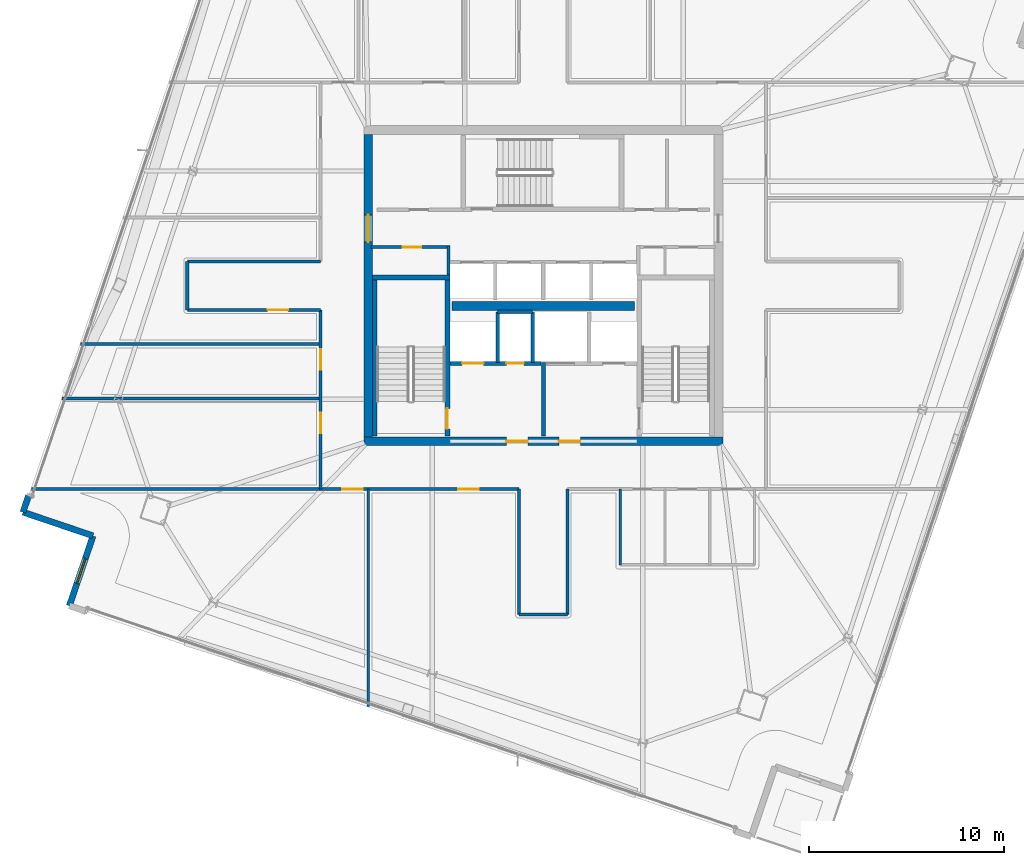
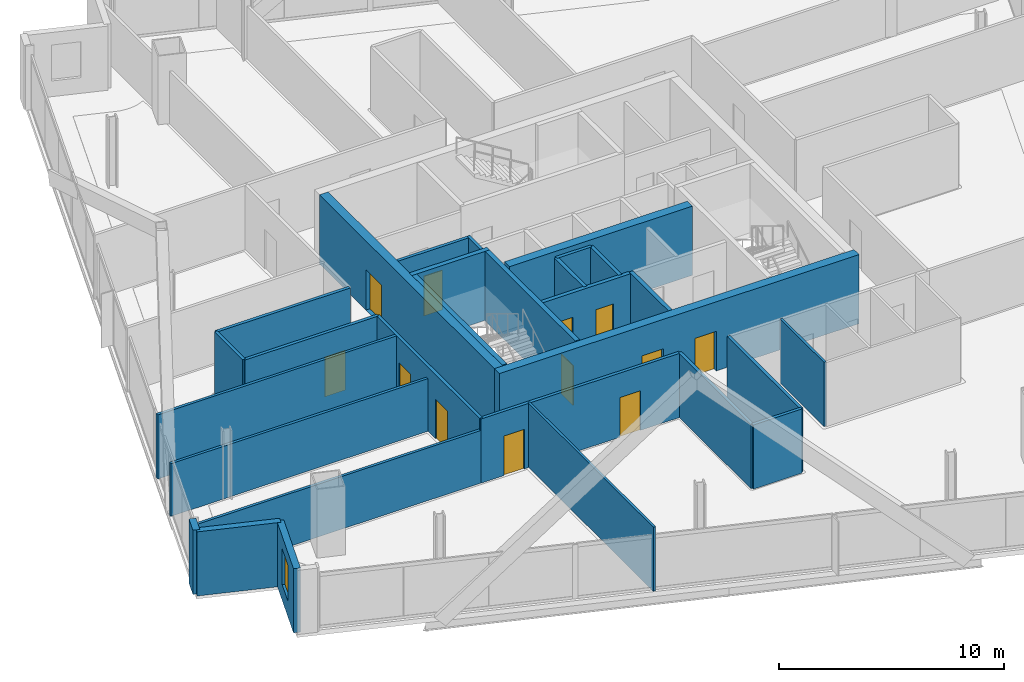
# One storey, part 21 of 29: 29 walls, 12 doors, 1 window, 13 openings.
"""IFC4 building model written with IfcOpenShell, lengths in metres."""

from ifc_helpers import new_model, si_unit, direction, frame, frame_2d, origin, place, context, subcontext, project, spatial, rectangle, extrude, material, layer, layer_set, type_object, element, fill, save


model = new_model("IFC4")

# Units and contexts
model_context = context("Model", 3, precision=1e-05, world=origin(), true_north=direction((0.0, 1.0)))
body_context = subcontext(model_context, "Body", "Model", "MODEL_VIEW")
ifc_project = project(units=[si_unit("LENGTHUNIT", "METRE"), si_unit("AREAUNIT", "SQUARE_METRE"), si_unit("VOLUMEUNIT", "CUBIC_METRE"), si_unit("PLANEANGLEUNIT", "RADIAN"), si_unit("MASSUNIT", "GRAM", prefix="KILO")], contexts=[model_context])

# Site, building, storey
site_placement = place(None, origin())
site = spatial("IfcSite", under=ifc_project, at=site_placement, CompositionType="ELEMENT")
building_placement = place(site_placement, origin())
building = spatial("IfcBuilding", under=site, at=building_placement, Name="Haldenkirk Collegiate Tower", CompositionType="ELEMENT")
storey_placement = place(building_placement, frame((0.0, 0.0, 267.449951171875)))
storey = spatial("IfcBuildingStorey", under=building, at=storey_placement, Name="L67", CompositionType="ELEMENT", Elevation=267.449951171875)

# Wall, openings, doors
ifc_material_1 = material(Name="Concrete f'c 55 MPa", Category="concrete")
ifc_layer_1 = layer(ifc_material_1, 0.449951171875)
ifc_layer_set_1 = layer_set([ifc_layer_1], Name="Concrete f'c 55 MPa")
wall_type_1 = type_object("IfcWallType", Name="WL-CORE-450", PredefinedType="SHEAR", material=ifc_layer_set_1)
wall_1_placement = place(storey_placement, frame((26.77490234375, 18.0, 0.0), z_axis=(0.0, 0.0, 1.0), x_axis=(1.0, 0.0, 0.0)))
wall_1 = element("IfcWall", 1, at=wall_1_placement, inside=storey, type_object=wall_type_1, Name="L67 central core shear wall S", PredefinedType="SHEAR", context=body_context, shape_type="SweptSolid", body=[
    extrude(rectangle(XDim=18.4501953125, YDim=0.449951171875, at=frame_2d((9.22509765625, 0.0))), origin(), (0.0, 0.0, 1.0), 3.75),
])
opening_1_placement = place(wall_1_placement, frame((7.324951171875, 0.0, 0.0)))
opening_1 = element("IfcOpeningElement", 2, at=opening_1_placement, cuts=wall_1, Name="Opening D-02", PredefinedType="OPENING", context=body_context, shape_type="SweptSolid", body=[
    extrude(rectangle(XDim=1.10009765625, YDim=2.14990234375, at=frame_2d((0.550048828125, 1.074951171875))), frame((0.0, 0.23486328125, 0.0), z_axis=(0.0, -1.0, 0.0), x_axis=(1.0, 0.0, 0.0)), (0.0, 0.0, 1.0), 0.469970703125),
])
opening_2_placement = place(wall_1_placement, frame((10.02490234375, 0.0, 0.0)))
opening_2 = element("IfcOpeningElement", 3, at=opening_2_placement, cuts=wall_1, Name="Opening D-02", PredefinedType="OPENING", context=body_context, shape_type="SweptSolid", body=[
    extrude(rectangle(XDim=1.10009765625, YDim=2.14990234375, at=frame_2d((0.550048828125, 1.074951171875))), frame((0.0, 0.23486328125, 0.0), z_axis=(0.0, -1.0, 0.0), x_axis=(1.0, 0.0, 0.0)), (0.0, 0.0, 1.0), 0.469970703125),
])
ifc_material_2 = material(Name="Galvanized fire-rated hollow steel door", Category="steel")
ifc_layer_2 = layer(ifc_material_2, 0.06005859375)
ifc_layer_set_2 = layer_set([ifc_layer_2], Name="Galvanized fire-rated hollow steel door")
door_type_1 = type_object("IfcDoorType", Name="DR-STAIR-FD90-1100", OperationType="NOTDEFINED", PredefinedType="DOOR", material=ifc_layer_set_2)
door_1_placement = place(opening_1_placement, origin())
door_1 = element("IfcDoor", 4, at=door_1_placement, inside=storey, type_object=door_type_1, Name="L67 Firefighting Lobby 1 door", OperationType="SINGLE_SWING_LEFT", OverallHeight=2.14990234375, OverallWidth=1.10009765625, PredefinedType="DOOR", context=body_context, shape_type="SweptSolid", body=[
    extrude(rectangle(XDim=1.10009765625, YDim=2.14990234375, at=frame_2d((0.550048828125, 1.074951171875))), frame((0.0, 0.02490234375, 0.0), z_axis=(0.0, -1.0, 0.0), x_axis=(1.0, 0.0, 0.0)), (0.0, 0.0, 1.0), 0.050048828125),
])
fill(opening_1, door_1)
door_2_placement = place(opening_2_placement, origin())
door_2 = element("IfcDoor", 5, at=door_2_placement, inside=storey, type_object=door_type_1, Name="L67 Firefighting Lobby 2 door", OperationType="SINGLE_SWING_RIGHT", OverallHeight=2.14990234375, OverallWidth=1.10009765625, PredefinedType="DOOR", context=body_context, shape_type="SweptSolid", body=[
    extrude(rectangle(XDim=1.10009765625, YDim=2.14990234375, at=frame_2d((0.550048828125, 1.074951171875))), frame((0.0, 0.02490234375, 0.0), z_axis=(0.0, -1.0, 0.0), x_axis=(1.0, 0.0, 0.0)), (0.0, 0.0, 1.0), 0.050048828125),
])
fill(opening_2, door_2)

# Wall, opening, door
wall_2_placement = place(storey_placement, frame((27.0, 18.22509765625, 0.0), z_axis=(0.0, 0.0, 1.0), x_axis=(0.0, 1.0, 0.0)))
wall_2 = element("IfcWall", 6, at=wall_2_placement, inside=storey, type_object=wall_type_1, Name="L67 central core shear wall W", PredefinedType="SHEAR", context=body_context, shape_type="SweptSolid", body=[
    extrude(rectangle(XDim=15.5498046875, YDim=0.449951171875, at=frame_2d((7.77490234375, 0.0))), origin(), (0.0, 0.0, 1.0), 3.75),
])
opening_3_placement = place(wall_2_placement, frame((10.014892578125, 0.0, 0.0)))
opening_3 = element("IfcOpeningElement", 7, at=opening_3_placement, cuts=wall_2, Name="Opening D-03", PredefinedType="OPENING", context=body_context, shape_type="SweptSolid", body=[
    extrude(rectangle(XDim=1.39990234375, YDim=2.199951171875, at=frame_2d((0.699951171875, 1.10009765625))), frame((0.0, 0.23486328125, 0.0), z_axis=(0.0, -1.0, 0.0), x_axis=(1.0, 0.0, 0.0)), (0.0, 0.0, 1.0), 0.469970703125),
])
ifc_layer_3 = layer(ifc_material_2, 0.06005859375)
ifc_layer_set_3 = layer_set([ifc_layer_3], Name="Galvanized fire-rated hollow steel door")
door_type_2 = type_object("IfcDoorType", Name="DR-LOBBY-FD90-1400", OperationType="NOTDEFINED", PredefinedType="DOOR", material=ifc_layer_set_3)
door_3_placement = place(opening_3_placement, origin())
door_3 = element("IfcDoor", 8, at=door_3_placement, inside=storey, type_object=door_type_2, Name="L67 west lift lobby portal", OperationType="DOUBLE_DOOR_SINGLE_SWING", OverallHeight=2.199951171875, OverallWidth=1.39990234375, PredefinedType="DOOR", context=body_context, shape_type="SweptSolid", body=[
    extrude(rectangle(XDim=1.39990234375, YDim=2.199951171875, at=frame_2d((0.699951171875, 1.10009765625))), frame((0.0, 0.02490234375, 0.0), z_axis=(0.0, -1.0, 0.0), x_axis=(1.0, 0.0, 0.0)), (0.0, 0.0, 1.0), 0.050048828125),
])
fill(opening_3, door_3)

# Walls
wall_3_placement = place(storey_placement, frame((31.31005859375, 24.949951171875, 0.0), z_axis=(0.0, 0.0, 1.0), x_axis=(1.0, 0.0, 0.0)))
element("IfcWall", 9, at=wall_3_placement, inside=storey, type_object=wall_type_1, Name="L67 central core spine shear wall", PredefinedType="SHEAR", context=body_context, shape_type="SweptSolid", body=[
    extrude(rectangle(XDim=9.3798828125, YDim=0.449951171875, at=frame_2d((4.68994140625, 0.0))), origin(), (0.0, 0.0, 1.0), 3.75),
])
ifc_material_3 = material(Name="Precast concrete f'c 40 MPa", Category="concrete")
ifc_layer_4 = layer(ifc_material_3, 0.320068359375)
ifc_layer_set_4 = layer_set([ifc_layer_4], Name="Precast concrete f'c 40 MPa")
wall_type_2 = type_object("IfcWallType", Name="WL-EXT-TWR-320", PredefinedType="STANDARD", material=ifc_layer_set_4)
wall_4_placement = place(storey_placement, frame((9.256103515625, 14.35986328125, 0.0), z_axis=(0.0, 0.0, 1.0), x_axis=(0.32086197488, 0.947125964735, 0.0)))
element("IfcWall", 10, at=wall_4_placement, inside=storey, type_object=wall_type_2, Name="L67 precast corner pier NL", PredefinedType="STANDARD", context=body_context, shape_type="SweptSolid", body=[
    extrude(rectangle(XDim=0.900146484375, YDim=0.320068359375, at=frame_2d((0.4501953125, 0.0))), origin(), (0.0, 0.0, 1.0), 3.47998046875),
])
wall_5_placement = place(storey_placement, frame((12.855712890625, 13.1416015625, 0.0), z_axis=(0.0, 0.0, 1.0), x_axis=(-0.947221372036, 0.32058021205, 0.0)))
element("IfcWall", 11, at=wall_5_placement, inside=storey, type_object=wall_type_2, Name="L67 bronze precast notch wall 08", PredefinedType="STANDARD", context=body_context, shape_type="SweptSolid", body=[
    extrude(rectangle(XDim=3.80029296875, YDim=0.320068359375, at=frame_2d((1.900146484375, 0.0))), origin(), (0.0, 0.0, 1.0), 3.47998046875),
])

# Wall, opening, window
wall_6_placement = place(storey_placement, frame((11.63720703125, 9.542236328125, 0.0), z_axis=(0.0, 0.0, 1.0), x_axis=(0.320657364628, 0.947195256803, 0.0)))
wall_6 = element("IfcWall", 12, at=wall_6_placement, inside=storey, type_object=wall_type_2, Name="L67 bronze precast notch wall 09", PredefinedType="STANDARD", context=body_context, shape_type="SweptSolid", body=[
    extrude(rectangle(XDim=3.800048828125, YDim=0.320068359375, at=frame_2d((1.89990234375, 0.0))), origin(), (0.0, 0.0, 1.0), 3.47998046875),
])
opening_4_placement = place(wall_6_placement, frame((1.22509765625, 0.0, 0.85009765625)))
opening_4 = element("IfcOpeningElement", 13, at=opening_4_placement, cuts=wall_6, Name="Opening W-07", PredefinedType="OPENING", context=body_context, shape_type="SweptSolid", body=[
    extrude(rectangle(XDim=1.35009765625, YDim=1.949951171875, at=frame_2d((0.675048828125, 0.97509765625))), frame((0.0, 0.169921875, 0.0), z_axis=(0.0, -1.0, 0.0), x_axis=(1.0, 0.0, 0.0)), (0.0, 0.0, 1.0), 0.340087890625),
])
ifc_material_4 = material(Name="Low-E argon triple insulating glass", Category="glass")
ifc_layer_5 = layer(ifc_material_4, 0.090087890625)
ifc_layer_set_5 = layer_set([ifc_layer_5], Name="Low-E argon triple insulating glass")
window_type = type_object("IfcWindowType", Name="WN-Z5-1350X1950", PartitioningType="SINGLE_PANEL", PredefinedType="WINDOW", material=ifc_layer_set_5)
window_placement = place(opening_4_placement, origin())
window = element("IfcWindow", 14, at=window_placement, inside=storey, type_object=window_type, Name="L67 precast-frame academic window 8", OverallHeight=1.949951171875, OverallWidth=1.35009765625, PartitioningType="SINGLE_PANEL", PredefinedType="WINDOW", context=body_context, shape_type="SweptSolid", body=[
    extrude(rectangle(XDim=1.35009765625, YDim=1.949951171875, at=frame_2d((0.675048828125, 0.97509765625))), frame((0.0, 0.030029296875, 0.0), z_axis=(0.0, -1.0, 0.0), x_axis=(1.0, 0.0, 0.0)), (0.0, 0.0, 1.0), 0.06005859375),
])
fill(opening_4, window)

# Wall, opening, door
ifc_material_5 = material(Name="Acoustic fire-rated gypsum partition", Category="concrete")
ifc_layer_6 = layer(ifc_material_5, 0.159912109375)
ifc_layer_set_6 = layer_set([ifc_layer_6], Name="Acoustic fire-rated gypsum partition")
wall_type_3 = type_object("IfcWallType", Name="WL-INT-CORR-160", PredefinedType="PARTITIONING", material=ifc_layer_set_6)
wall_7_placement = place(storey_placement, frame((27.14990234375, 27.97998046875, 0.0), z_axis=(0.0, 0.0, 1.0), x_axis=(1.0, 0.0, 0.0)))
wall_7 = element("IfcWall", 15, at=wall_7_placement, inside=storey, type_object=wall_type_3, Name="L67 interior partition IW-L67-VCSW-N", PredefinedType="PARTITIONING", context=body_context, shape_type="SweptSolid", body=[
    extrude(rectangle(XDim=4.050048828125, YDim=0.159912109375, at=frame_2d((2.02490234375, 0.0))), origin(), (0.0, 0.0, 1.0), 3.47998046875),
])
opening_5_placement = place(wall_7_placement, frame((1.625, 0.0, 0.0)))
opening_5 = element("IfcOpeningElement", 16, at=opening_5_placement, cuts=wall_7, Name="Opening D-10", PredefinedType="OPENING", context=body_context, shape_type="SweptSolid", body=[
    extrude(rectangle(XDim=0.949951171875, YDim=2.14990234375, at=frame_2d((0.47509765625, 1.074951171875))), frame((0.0, 0.08984375, 0.0), z_axis=(0.0, -1.0, 0.0), x_axis=(1.0, 0.0, 0.0)), (0.0, 0.0, 1.0), 0.179931640625),
])
ifc_material_6 = material(Name="Solid-core architectural oak fire door", Category="wood")
ifc_layer_7 = layer(ifc_material_6, 0.06005859375)
ifc_layer_set_7 = layer_set([ifc_layer_7], Name="Solid-core architectural oak fire door")
door_type_3 = type_object("IfcDoorType", Name="DR-INT-FD60-950", OperationType="NOTDEFINED", PredefinedType="DOOR", material=ifc_layer_set_7)
door_4_placement = place(opening_5_placement, origin())
door_4 = element("IfcDoor", 17, at=door_4_placement, inside=storey, type_object=door_type_3, Name="L67 core tea pantry door", OperationType="SINGLE_SWING_RIGHT", OverallHeight=2.14990234375, OverallWidth=0.949951171875, PredefinedType="DOOR", context=body_context, shape_type="SweptSolid", body=[
    extrude(rectangle(XDim=0.949951171875, YDim=2.14990234375, at=frame_2d((0.47509765625, 1.074951171875))), frame((0.0, 0.02490234375, 0.0), z_axis=(0.0, -1.0, 0.0), x_axis=(1.0, 0.0, 0.0)), (0.0, 0.0, 1.0), 0.050048828125),
])
fill(opening_5, door_4)

# Wall
wall_8_placement = place(storey_placement, frame((31.1201171875, 26.5400390625, 0.0), z_axis=(0.0, 0.0, 1.0), x_axis=(0.0, 1.0, 0.0)))
element("IfcWall", 18, at=wall_8_placement, inside=storey, type_object=wall_type_3, Name="L67 interior partition IW-L67-VCSW-E", PredefinedType="PARTITIONING", context=body_context, shape_type="SweptSolid", body=[
    extrude(rectangle(XDim=1.510009765625, YDim=0.159912109375, at=frame_2d((0.7548828125, 0.0))), origin(), (0.0, 0.0, 1.0), 3.47998046875),
])

# Wall, openings, doors
wall_9_placement = place(storey_placement, frame((24.5, 15.550048828125, 0.0), z_axis=(0.0, 0.0, 1.0), x_axis=(1.0, 0.0, 0.0)))
wall_9 = element("IfcWall", 19, at=wall_9_placement, inside=storey, type_object=wall_type_3, Name="L67 interior partition IW-L67-CS1", PredefinedType="PARTITIONING", context=body_context, shape_type="SweptSolid", body=[
    extrude(rectangle(XDim=10.25, YDim=0.159912109375, at=frame_2d((5.125, 0.0))), origin(), (0.0, 0.0, 1.0), 3.47998046875),
])
opening_6_placement = place(wall_9_placement, frame((1.169921875, 0.0, 0.0)))
opening_6 = element("IfcOpeningElement", 20, at=opening_6_placement, cuts=wall_9, Name="Opening D-09", PredefinedType="OPENING", context=body_context, shape_type="SweptSolid", body=[
    extrude(rectangle(XDim=1.050048828125, YDim=2.14990234375, at=frame_2d((0.52490234375, 1.074951171875))), frame((0.0, 0.08984375, 0.0), z_axis=(0.0, -1.0, 0.0), x_axis=(1.0, 0.0, 0.0)), (0.0, 0.0, 1.0), 0.179931640625),
])
opening_7_placement = place(wall_9_placement, frame((7.138916015625, 0.0, 0.0)))
opening_7 = element("IfcOpeningElement", 21, at=opening_7_placement, cuts=wall_9, Name="Opening D-09", PredefinedType="OPENING", context=body_context, shape_type="SweptSolid", body=[
    extrude(rectangle(XDim=1.050048828125, YDim=2.14990234375, at=frame_2d((0.52490234375, 1.074951171875))), frame((0.0, 0.08984375, 0.0), z_axis=(0.0, -1.0, 0.0), x_axis=(1.0, 0.0, 0.0)), (0.0, 0.0, 1.0), 0.179931640625),
])
ifc_layer_8 = layer(ifc_material_6, 0.06005859375)
ifc_layer_set_8 = layer_set([ifc_layer_8], Name="Solid-core architectural oak fire door")
door_type_4 = type_object("IfcDoorType", Name="DR-INT-FD60-1050", OperationType="NOTDEFINED", PredefinedType="DOOR", material=ifc_layer_set_8)
door_5_placement = place(opening_6_placement, origin())
door_5 = element("IfcDoor", 22, at=door_5_placement, inside=storey, type_object=door_type_4, Name="L67 Special Collections Archive 1 door", OperationType="SINGLE_SWING_LEFT", OverallHeight=2.14990234375, OverallWidth=1.050048828125, PredefinedType="DOOR", context=body_context, shape_type="SweptSolid", body=[
    extrude(rectangle(XDim=1.050048828125, YDim=2.14990234375, at=frame_2d((0.52490234375, 1.074951171875))), frame((0.0, 0.02490234375, 0.0), z_axis=(0.0, -1.0, 0.0), x_axis=(1.0, 0.0, 0.0)), (0.0, 0.0, 1.0), 0.050048828125),
])
fill(opening_6, door_5)
door_6_placement = place(opening_7_placement, origin())
door_6 = element("IfcDoor", 23, at=door_6_placement, inside=storey, type_object=door_type_4, Name="L67 Rare Folio Vault 2 door", OperationType="SINGLE_SWING_RIGHT", OverallHeight=2.14990234375, OverallWidth=1.050048828125, PredefinedType="DOOR", context=body_context, shape_type="SweptSolid", body=[
    extrude(rectangle(XDim=1.050048828125, YDim=2.14990234375, at=frame_2d((0.52490234375, 1.074951171875))), frame((0.0, 0.02490234375, 0.0), z_axis=(0.0, -1.0, 0.0), x_axis=(1.0, 0.0, 0.0)), (0.0, 0.0, 1.0), 0.050048828125),
])
fill(opening_7, door_6)

wall_10_placement = place(storey_placement, frame((24.550048828125, 15.550048828125, 0.0), z_axis=(0.0, 0.0, 1.0), x_axis=(0.0, 1.0, 0.0)))
wall_10 = element("IfcWall", 24, at=wall_10_placement, inside=storey, type_object=wall_type_3, Name="L67 interior partition IW-L67-CW1", PredefinedType="PARTITIONING", context=body_context, shape_type="SweptSolid", body=[
    extrude(rectangle(XDim=9.199951171875, YDim=0.159912109375, at=frame_2d((4.60009765625, 0.0))), origin(), (0.0, 0.0, 1.0), 3.47998046875),
])
opening_8_placement = place(wall_10_placement, frame((2.863037109375, 0.0, 0.0)))
opening_8 = element("IfcOpeningElement", 25, at=opening_8_placement, cuts=wall_10, Name="Opening D-09", PredefinedType="OPENING", context=body_context, shape_type="SweptSolid", body=[
    extrude(rectangle(XDim=1.050048828125, YDim=2.14990234375, at=frame_2d((0.52490234375, 1.074951171875))), frame((0.0, 0.08984375, 0.0), z_axis=(0.0, -1.0, 0.0), x_axis=(1.0, 0.0, 0.0)), (0.0, 0.0, 1.0), 0.179931640625),
])
opening_9_placement = place(wall_10_placement, frame((6.1201171875, 0.0, 0.0)))
opening_9 = element("IfcOpeningElement", 26, at=opening_9_placement, cuts=wall_10, Name="Opening D-09", PredefinedType="OPENING", context=body_context, shape_type="SweptSolid", body=[
    extrude(rectangle(XDim=1.050048828125, YDim=2.14990234375, at=frame_2d((0.52490234375, 1.074951171875))), frame((0.0, 0.08984375, 0.0), z_axis=(0.0, -1.0, 0.0), x_axis=(1.0, 0.0, 0.0)), (0.0, 0.0, 1.0), 0.179931640625),
])
door_7_placement = place(opening_8_placement, origin())
door_7 = element("IfcDoor", 27, at=door_7_placement, inside=storey, type_object=door_type_4, Name="L67 Special Collections Archive 7 door", OperationType="SINGLE_SWING_LEFT", OverallHeight=2.14990234375, OverallWidth=1.050048828125, PredefinedType="DOOR", context=body_context, shape_type="SweptSolid", body=[
    extrude(rectangle(XDim=1.050048828125, YDim=2.14990234375, at=frame_2d((0.52490234375, 1.074951171875))), frame((0.0, 0.02490234375, 0.0), z_axis=(0.0, -1.0, 0.0), x_axis=(1.0, 0.0, 0.0)), (0.0, 0.0, 1.0), 0.050048828125),
])
fill(opening_8, door_7)
door_8_placement = place(opening_9_placement, origin())
door_8 = element("IfcDoor", 28, at=door_8_placement, inside=storey, type_object=door_type_4, Name="L67 Rare Folio Vault 8 door", OperationType="SINGLE_SWING_RIGHT", OverallHeight=2.14990234375, OverallWidth=1.050048828125, PredefinedType="DOOR", context=body_context, shape_type="SweptSolid", body=[
    extrude(rectangle(XDim=1.050048828125, YDim=2.14990234375, at=frame_2d((0.52490234375, 1.074951171875))), frame((0.0, 0.02490234375, 0.0), z_axis=(0.0, -1.0, 0.0), x_axis=(1.0, 0.0, 0.0)), (0.0, 0.0, 1.0), 0.050048828125),
])
fill(opening_9, door_8)

# Walls
for number, where, z_axis, x_axis, name in (
    (29, (34.75, 9.10009765625, 0.0), (0.0, 0.0, 1.0), (0.0, 1.0, 0.0), "L67 interior partition IW-L67-SPW"),
    (30, (37.25, 9.10009765625, 0.0), (0.0, 0.0, 1.0), (0.0, 1.0, 0.0), "L67 interior partition IW-L67-SPE"),
):
    element("IfcWall", number, at=place(storey_placement, frame(where, z_axis=z_axis, x_axis=x_axis)), inside=storey, type_object=wall_type_3, Name=name, PredefinedType="PARTITIONING", context=body_context, shape_type="SweptSolid", body=[
        extrude(rectangle(XDim=6.449951171875, YDim=0.159912109375, at=frame_2d((3.22509765625, 0.0))), origin(), (0.0, 0.0, 1.0), 3.47998046875),
    ])
wall_11_placement = place(storey_placement, frame((34.75, 9.10009765625, 0.0), z_axis=(0.0, 0.0, 1.0), x_axis=(1.0, 0.0, 0.0)))
element("IfcWall", 31, at=wall_11_placement, inside=storey, type_object=wall_type_3, Name="L67 interior partition IW-L67-SPS", PredefinedType="PARTITIONING", context=body_context, shape_type="SweptSolid", body=[
    extrude(rectangle(XDim=2.5, YDim=0.159912109375, at=frame_2d((1.25, 0.0))), origin(), (0.0, 0.0, 1.0), 3.47998046875),
])

# Wall, opening, door
wall_12_placement = place(storey_placement, frame((17.699951171875, 24.75, 0.0), z_axis=(0.0, 0.0, 1.0), x_axis=(1.0, 0.0, 0.0)))
wall_12 = element("IfcWall", 32, at=wall_12_placement, inside=storey, type_object=wall_type_3, Name="L67 interior partition IW-L67-WPS", PredefinedType="PARTITIONING", context=body_context, shape_type="SweptSolid", body=[
    extrude(rectangle(XDim=6.85009765625, YDim=0.159912109375, at=frame_2d((3.425048828125, 0.0))), origin(), (0.0, 0.0, 1.0), 3.47998046875),
])
opening_10_placement = place(wall_12_placement, frame((4.133056640625, 0.0, 0.0)))
opening_10 = element("IfcOpeningElement", 33, at=opening_10_placement, cuts=wall_12, Name="Opening D-09", PredefinedType="OPENING", context=body_context, shape_type="SweptSolid", body=[
    extrude(rectangle(XDim=1.050048828125, YDim=2.14990234375, at=frame_2d((0.52490234375, 1.074951171875))), frame((0.0, 0.08984375, 0.0), z_axis=(0.0, -1.0, 0.0), x_axis=(1.0, 0.0, 0.0)), (0.0, 0.0, 1.0), 0.179931640625),
])
door_9_placement = place(opening_10_placement, origin())
door_9 = element("IfcDoor", 34, at=door_9_placement, inside=storey, type_object=door_type_4, Name="L67 Instrument Store Room 9 door", OperationType="SINGLE_SWING_LEFT", OverallHeight=2.14990234375, OverallWidth=1.050048828125, PredefinedType="DOOR", context=body_context, shape_type="SweptSolid", body=[
    extrude(rectangle(XDim=1.050048828125, YDim=2.14990234375, at=frame_2d((0.52490234375, 1.074951171875))), frame((0.0, 0.02490234375, 0.0), z_axis=(0.0, -1.0, 0.0), x_axis=(1.0, 0.0, 0.0)), (0.0, 0.0, 1.0), 0.050048828125),
])
fill(opening_10, door_9)

# Walls
wall_13_placement = place(storey_placement, frame((17.699951171875, 27.25, 0.0), z_axis=(0.0, 0.0, 1.0), x_axis=(1.0, 0.0, 0.0)))
element("IfcWall", 35, at=wall_13_placement, inside=storey, type_object=wall_type_3, Name="L67 interior partition IW-L67-WPN", PredefinedType="PARTITIONING", context=body_context, shape_type="SweptSolid", body=[
    extrude(rectangle(XDim=6.85009765625, YDim=0.159912109375, at=frame_2d((3.425048828125, 0.0))), origin(), (0.0, 0.0, 1.0), 3.47998046875),
])
wall_14_placement = place(storey_placement, frame((17.699951171875, 24.75, 0.0), z_axis=(0.0, 0.0, 1.0), x_axis=(0.0, 1.0, 0.0)))
element("IfcWall", 36, at=wall_14_placement, inside=storey, type_object=wall_type_3, Name="L67 interior partition IW-L67-WPW", PredefinedType="PARTITIONING", context=body_context, shape_type="SweptSolid", body=[
    extrude(rectangle(XDim=2.5, YDim=0.159912109375, at=frame_2d((1.25, 0.0))), origin(), (0.0, 0.0, 1.0), 3.47998046875),
])
ifc_layer_9 = layer(ifc_material_5, 0.139892578125)
ifc_layer_set_9 = layer_set([ifc_layer_9], Name="Acoustic fire-rated gypsum partition")
wall_type_4 = type_object("IfcWallType", Name="WL-INT-DIV-140", PredefinedType="PARTITIONING", material=ifc_layer_set_9)
wall_15_placement = place(storey_placement, frame((9.701416015625, 15.550048828125, 0.0), z_axis=(0.0, 0.0, 1.0), x_axis=(1.0, 0.0, 0.0)))
element("IfcWall", 37, at=wall_15_placement, inside=storey, type_object=wall_type_4, Name="L67 interior partition IW-L67-BWS", PredefinedType="PARTITIONING", context=body_context, shape_type="SweptSolid", body=[
    extrude(rectangle(XDim=14.8486328125, YDim=0.139892578125, at=frame_2d((7.42431640625, 0.0))), origin(), (0.0, 0.0, 1.0), 2.858154296875),
])
wall_16_placement = place(storey_placement, frame((11.275146484375, 20.199951171875, 0.0), z_axis=(0.0, 0.0, 1.0), x_axis=(1.0, 0.0, 0.0)))
element("IfcWall", 38, at=wall_16_placement, inside=storey, type_object=wall_type_4, Name="L67 interior partition IW-L67-RW1", PredefinedType="PARTITIONING", context=body_context, shape_type="SweptSolid", body=[
    extrude(rectangle(XDim=13.27490234375, YDim=0.139892578125, at=frame_2d((6.637451171875, 0.0))), origin(), (0.0, 0.0, 1.0), 2.858154296875),
])
wall_17_placement = place(storey_placement, frame((12.222900390625, 23.0, 0.0), z_axis=(0.0, 0.0, 1.0), x_axis=(1.0, 0.0, 0.0)))
element("IfcWall", 39, at=wall_17_placement, inside=storey, type_object=wall_type_4, Name="L67 interior partition IW-L67-RW2", PredefinedType="PARTITIONING", context=body_context, shape_type="SweptSolid", body=[
    extrude(rectangle(XDim=12.3271484375, YDim=0.139892578125, at=frame_2d((6.16357421875, 0.0))), origin(), (0.0, 0.0, 1.0), 3.47998046875),
])
ifc_material_7 = material(Name="Fire-rated gypsum shaftboard assembly", Category="concrete")
ifc_layer_10 = layer(ifc_material_7, 0.179931640625)
ifc_layer_set_10 = layer_set([ifc_layer_10], Name="Fire-rated gypsum shaftboard assembly")
wall_type_5 = type_object("IfcWallType", Name="WL-INT-SHAFT-180", PredefinedType="PARTITIONING", material=ifc_layer_set_10)
for number, where, z_axis, x_axis, name in (
    (40, (33.64990234375, 22.050048828125, 0.0), (0.0, 0.0, 1.0), (0.0, 1.0, 0.0), "L67 interior partition IW-L67-FL1E"),
    (41, (35.449951171875, 22.050048828125, 0.0), (0.0, 0.0, 1.0), (0.0, 1.0, 0.0), "L67 interior partition IW-L67-GL1W"),
):
    element("IfcWall", number, at=place(storey_placement, frame(where, z_axis=z_axis, x_axis=x_axis)), inside=storey, type_object=wall_type_5, Name=name, PredefinedType="PARTITIONING", context=body_context, shape_type="SweptSolid", body=[
        extrude(rectangle(XDim=2.599853515625, YDim=0.179931640625, at=frame_2d((1.2998046875, 0.0))), origin(), (0.0, 0.0, 1.0), 3.47998046875),
    ])
wall_18_placement = place(storey_placement, frame((33.64990234375, 24.64990234375, 0.0), z_axis=(0.0, 0.0, 1.0), x_axis=(1.0, 0.0, 0.0)))
element("IfcWall", 42, at=wall_18_placement, inside=storey, type_object=wall_type_5, Name="L67 interior partition IW-L67-RSRN", PredefinedType="PARTITIONING", context=body_context, shape_type="SweptSolid", body=[
    extrude(rectangle(XDim=1.800048828125, YDim=0.179931640625, at=frame_2d((0.89990234375, 0.0))), origin(), (0.0, 0.0, 1.0), 3.47998046875),
])
ifc_layer_11 = layer(ifc_material_7, 0.199951171875)
ifc_layer_set_11 = layer_set([ifc_layer_11], Name="Fire-rated gypsum shaftboard assembly")
wall_type_6 = type_object("IfcWallType", Name="WL-INT-SHAFT-200", PredefinedType="PARTITIONING", material=ifc_layer_set_11)
wall_19_placement = place(storey_placement, frame((36.0, 18.280029296875, 0.0), z_axis=(0.0, 0.0, 1.0), x_axis=(0.0, 1.0, 0.0)))
element("IfcWall", 43, at=wall_19_placement, inside=storey, type_object=wall_type_6, Name="L67 interior partition IW-L67-FFLM", PredefinedType="PARTITIONING", context=body_context, shape_type="SweptSolid", body=[
    extrude(rectangle(XDim=3.77001953125, YDim=0.199951171875, at=frame_2d((1.885009765625, 0.0))), origin(), (0.0, 0.0, 1.0), 3.47998046875),
])

# Wall, openings, doors
wall_20_placement = place(storey_placement, frame((31.18994140625, 22.0, 0.0), z_axis=(0.0, 0.0, 1.0), x_axis=(1.0, 0.0, 0.0)))
wall_20 = element("IfcWall", 44, at=wall_20_placement, inside=storey, type_object=wall_type_6, Name="L67 interior partition IW-L67-FFL1N", PredefinedType="PARTITIONING", context=body_context, shape_type="SweptSolid", body=[
    extrude(rectangle(XDim=4.68994140625, YDim=0.199951171875, at=frame_2d((2.344970703125, 0.0))), origin(), (0.0, 0.0, 1.0), 3.47998046875),
])
opening_11_placement = place(wall_20_placement, frame((2.909912109375, 0.0, 0.0)))
opening_11 = element("IfcOpeningElement", 45, at=opening_11_placement, cuts=wall_20, Name="Opening D-06", PredefinedType="OPENING", context=body_context, shape_type="SweptSolid", body=[
    extrude(rectangle(XDim=0.89990234375, YDim=2.14990234375, at=frame_2d((0.449951171875, 1.074951171875))), frame((0.0, 0.10986328125, 0.0), z_axis=(0.0, -1.0, 0.0), x_axis=(1.0, 0.0, 0.0)), (0.0, 0.0, 1.0), 0.219970703125),
])
opening_12_placement = place(wall_20_placement, frame((0.635009765625, 0.0, 0.0)))
opening_12 = element("IfcOpeningElement", 46, at=opening_12_placement, cuts=wall_20, Name="Opening LD-12", PredefinedType="OPENING", context=body_context, shape_type="SweptSolid", body=[
    extrude(rectangle(XDim=1.10009765625, YDim=2.14990234375, at=frame_2d((0.550048828125, 1.074951171875))), frame((0.0, 0.10986328125, 0.0), z_axis=(0.0, -1.0, 0.0), x_axis=(1.0, 0.0, 0.0)), (0.0, 0.0, 1.0), 0.219970703125),
])
ifc_layer_12 = layer(ifc_material_2, 0.06005859375)
ifc_layer_set_12 = layer_set([ifc_layer_12], Name="Galvanized fire-rated hollow steel door")
door_type_5 = type_object("IfcDoorType", Name="DR-INT-FD90-900", OperationType="NOTDEFINED", PredefinedType="DOOR", material=ifc_layer_set_12)
door_10_placement = place(opening_11_placement, origin())
door_10 = element("IfcDoor", 47, at=door_10_placement, inside=storey, type_object=door_type_5, Name="L67 electrical riser door", OperationType="SINGLE_SWING_LEFT", OverallHeight=2.14990234375, OverallWidth=0.89990234375, PredefinedType="DOOR", context=body_context, shape_type="SweptSolid", body=[
    extrude(rectangle(XDim=0.89990234375, YDim=2.14990234375, at=frame_2d((0.449951171875, 1.074951171875))), frame((0.0, 0.02490234375, 0.0), z_axis=(0.0, -1.0, 0.0), x_axis=(1.0, 0.0, 0.0)), (0.0, 0.0, 1.0), 0.050048828125),
])
fill(opening_11, door_10)
ifc_material_8 = material(Name="Brushed architectural stainless steel", Category="steel")
ifc_layer_13 = layer(ifc_material_8, 0.06005859375)
ifc_layer_set_13 = layer_set([ifc_layer_13], Name="Brushed architectural stainless steel")
door_type_6 = type_object("IfcDoorType", Name="LD-FIRE-1100", OperationType="NOTDEFINED", PredefinedType="DOOR", material=ifc_layer_set_13)
door_11_placement = place(opening_12_placement, origin())
door_11 = element("IfcDoor", 48, at=door_11_placement, inside=storey, type_object=door_type_6, Name="L67 Elevator FL1 sliding landing door", OperationType="SLIDING_TO_LEFT", OverallHeight=2.14990234375, OverallWidth=1.10009765625, PredefinedType="DOOR", context=body_context, shape_type="SweptSolid", body=[
    extrude(rectangle(XDim=1.10009765625, YDim=2.14990234375, at=frame_2d((0.550048828125, 1.074951171875))), frame((0.0, 0.02490234375, 0.0), z_axis=(0.0, -1.0, 0.0), x_axis=(1.0, 0.0, 0.0)), (0.0, 0.0, 1.0), 0.050048828125),
])
fill(opening_12, door_11)

# Walls
ifc_layer_14 = layer(ifc_material_5, 0.1201171875)
ifc_layer_set_14 = layer_set([ifc_layer_14], Name="Acoustic fire-rated gypsum partition")
wall_type_7 = type_object("IfcWallType", Name="WL-INT-WET-120", PredefinedType="PARTITIONING", material=ifc_layer_set_14)
wall_21_placement = place(storey_placement, frame((39.949951171875, 11.64990234375, 0.0), z_axis=(0.0, 0.0, 1.0), x_axis=(0.0, 1.0, 0.0)))
element("IfcWall", 49, at=wall_21_placement, inside=storey, type_object=wall_type_7, Name="L67 interior partition IW-L67-WCW", PredefinedType="PARTITIONING", context=body_context, shape_type="SweptSolid", body=[
    extrude(rectangle(XDim=3.900146484375, YDim=0.1201171875, at=frame_2d((1.9501953125, 0.0))), origin(), (0.0, 0.0, 1.0), 3.47998046875),
])
wall_22_placement = place(storey_placement, frame((27.0, 4.384521484375, 0.0), z_axis=(0.0, 0.0, 1.0), x_axis=(0.0, 1.0, 0.0)))
element("IfcWall", 50, at=wall_22_placement, inside=storey, type_object=wall_type_7, Name="L67 interior partition IW-L67-RS1", PredefinedType="PARTITIONING", context=body_context, shape_type="SweptSolid", body=[
    extrude(rectangle(XDim=11.16552734375, YDim=0.1201171875, at=frame_2d((5.582763671875, 0.0))), origin(), (0.0, 0.0, 1.0), 3.47998046875),
])

# Wall, opening, door
ifc_layer_15 = layer(ifc_material_1, 0.239990234375)
ifc_layer_set_15 = layer_set([ifc_layer_15], Name="Concrete f'c 55 MPa")
wall_type_8 = type_object("IfcWallType", Name="WL-SHAFT-240", PredefinedType="SHEAR", material=ifc_layer_set_15)
wall_23_placement = place(storey_placement, frame((31.070068359375, 18.280029296875, 0.0), z_axis=(0.0, 0.0, 1.0), x_axis=(0.0, 1.0, 0.0)))
wall_23 = element("IfcWall", 51, at=wall_23_placement, inside=storey, type_object=wall_type_8, Name="L67 stair shaft shear wall SW-L67-ST1E", PredefinedType="SHEAR", context=body_context, shape_type="SweptSolid", body=[
    extrude(rectangle(XDim=8.260009765625, YDim=0.239990234375, at=frame_2d((4.1298828125, 0.0))), origin(), (0.0, 0.0, 1.0), 3.75),
])
opening_13_placement = place(wall_23_placement, frame((0.364990234375, 0.0, 0.0)))
opening_13 = element("IfcOpeningElement", 52, at=opening_13_placement, cuts=wall_23, Name="Opening D-01", PredefinedType="OPENING", context=body_context, shape_type="SweptSolid", body=[
    extrude(rectangle(XDim=1.050048828125, YDim=2.14990234375, at=frame_2d((0.52490234375, 1.074951171875))), frame((0.0, 0.1298828125, 0.0), z_axis=(0.0, -1.0, 0.0), x_axis=(1.0, 0.0, 0.0)), (0.0, 0.0, 1.0), 0.260009765625),
])
ifc_layer_16 = layer(ifc_material_2, 0.06005859375)
ifc_layer_set_16 = layer_set([ifc_layer_16], Name="Galvanized fire-rated hollow steel door")
door_type_7 = type_object("IfcDoorType", Name="DR-STAIR-FD90-1050", OperationType="NOTDEFINED", PredefinedType="DOOR", material=ifc_layer_set_16)
door_12_placement = place(opening_13_placement, origin())
door_12 = element("IfcDoor", 53, at=door_12_placement, inside=storey, type_object=door_type_7, Name="L67 Stair 1 door", OperationType="SINGLE_SWING_LEFT", OverallHeight=2.14990234375, OverallWidth=1.050048828125, PredefinedType="DOOR", context=body_context, shape_type="SweptSolid", body=[
    extrude(rectangle(XDim=1.050048828125, YDim=2.14990234375, at=frame_2d((0.52490234375, 1.074951171875))), frame((0.0, 0.02490234375, 0.0), z_axis=(0.0, -1.0, 0.0), x_axis=(1.0, 0.0, 0.0)), (0.0, 0.0, 1.0), 0.050048828125),
])
fill(opening_13, door_12)

# Walls
wall_24_placement = place(storey_placement, frame((27.2099609375, 26.419921875, 0.0), z_axis=(0.0, 0.0, 1.0), x_axis=(1.0, 0.0, 0.0)))
element("IfcWall", 54, at=wall_24_placement, inside=storey, type_object=wall_type_8, Name="L67 stair shaft shear wall SW-L67-ST1N", PredefinedType="SHEAR", context=body_context, shape_type="SweptSolid", body=[
    extrude(rectangle(XDim=3.97998046875, YDim=0.239990234375, at=frame_2d((1.989990234375, 0.0))), origin(), (0.0, 0.0, 1.0), 3.75),
])
wall_25_placement = place(storey_placement, frame((27.330078125, 18.280029296875, 0.0), z_axis=(0.0, 0.0, 1.0), x_axis=(0.0, 1.0, 0.0)))
element("IfcWall", 55, at=wall_25_placement, inside=storey, type_object=wall_type_8, Name="L67 stair shaft shear wall SW-L67-ST1W", PredefinedType="SHEAR", context=body_context, shape_type="SweptSolid", body=[
    extrude(rectangle(XDim=8.260009765625, YDim=0.239990234375, at=frame_2d((4.1298828125, 0.0))), origin(), (0.0, 0.0, 1.0), 3.75),
])

save(model, "model.ifc")
